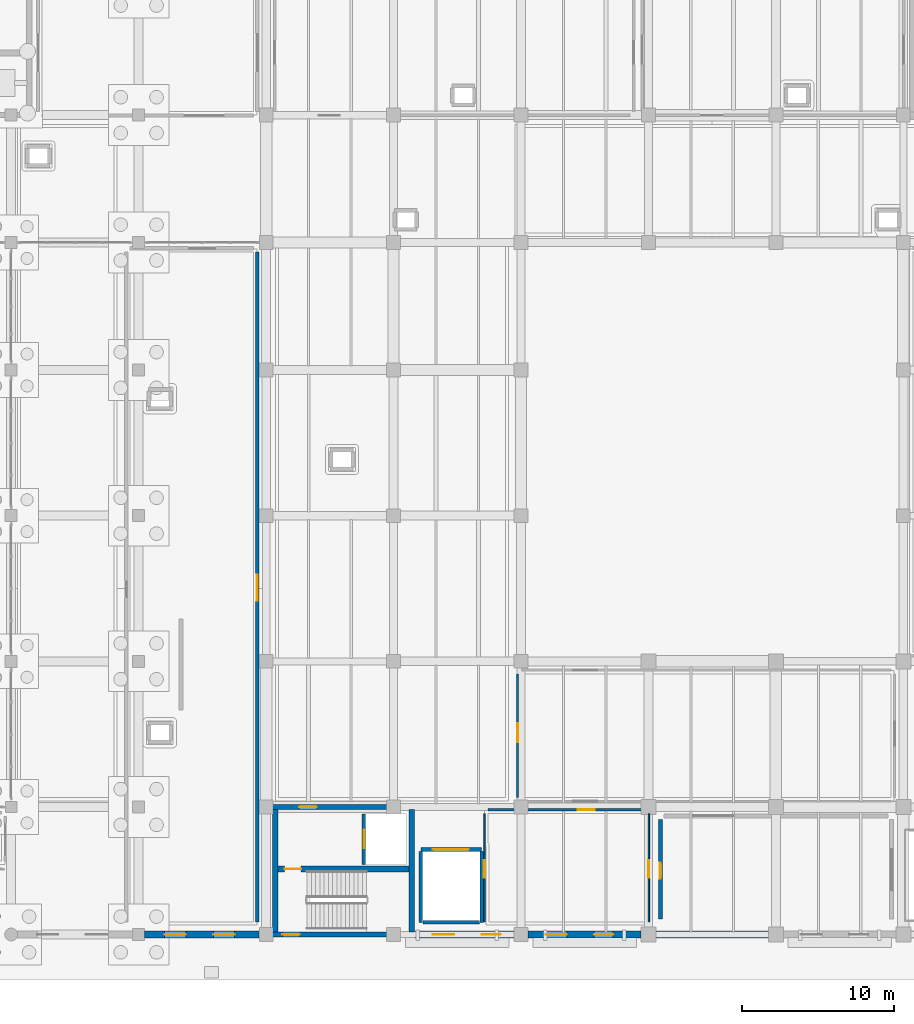
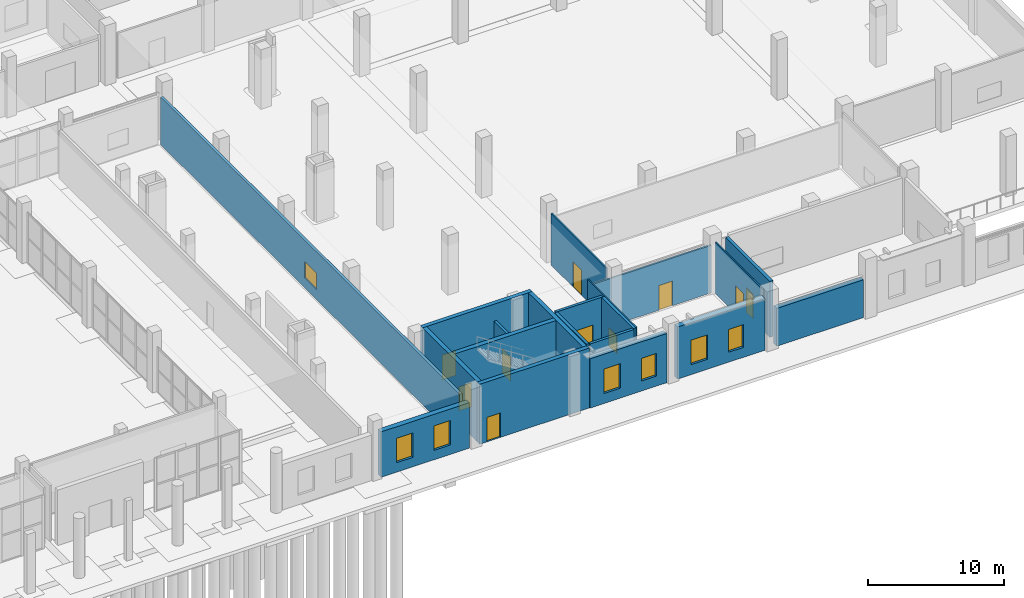
# One storey, part 46 of 65: 20 walls, 9 windows, 8 doors, 17 openings.
"""IFC4 building model written with IfcOpenShell, lengths in metres."""

from ifc_helpers import new_model, si_unit, direction, frame, frame_2d, origin, place, context, subcontext, project, spatial, rectangle, extrude, material, layer, layer_set, type_object, element, fill, save


model = new_model("IFC4")

# Units and contexts
model_context = context("Model", 3, precision=1e-05, world=origin(), true_north=direction((0.0, 1.0)))
body_context = subcontext(model_context, "Body", "Model", "MODEL_VIEW")
ifc_project = project(units=[si_unit("LENGTHUNIT", "METRE"), si_unit("AREAUNIT", "SQUARE_METRE"), si_unit("VOLUMEUNIT", "CUBIC_METRE"), si_unit("PLANEANGLEUNIT", "RADIAN"), si_unit("MASSUNIT", "GRAM", prefix="KILO")], contexts=[model_context])

# Site, building, storey
site_placement = place(None, origin())
site = spatial("IfcSite", under=ifc_project, at=site_placement, CompositionType="ELEMENT")
building_placement = place(site_placement, origin())
building = spatial("IfcBuilding", under=site, at=building_placement, Name="Zulmaris Art Gallery", CompositionType="ELEMENT")
storey_placement = place(building_placement, origin())
storey = spatial("IfcBuildingStorey", under=building, at=storey_placement, Name="L00", CompositionType="ELEMENT", Elevation=0.0)

# Wall, openings, windows
ifc_material_1 = material(Name="Omani Cream Limestone Ashlar Masonry", Category="masonry")
ifc_layer_1 = layer(ifc_material_1, 0.43994140625)
ifc_layer_set_1 = layer_set([ifc_layer_1], Name="Omani Cream Limestone Ashlar Masonry")
wall_type_1 = type_object("IfcWallType", Name="ENV-WALL-EW01", PredefinedType="SOLIDWALL", material=ifc_layer_set_1)
wall_1_placement = place(storey_placement, frame((151.412109375, 13.199951171875, 0.0), z_axis=(0.0, 0.0, 1.0), x_axis=(1.0, 0.0, 0.0)))
wall_1 = element("IfcWall", 1, at=wall_1_placement, inside=storey, type_object=wall_type_1, Name="L00 V5 South Facade Bay 1", PredefinedType="SOLIDWALL", context=body_context, shape_type="SweptSolid", body=[
    extrude(rectangle(XDim=6.535888671875, YDim=0.43994140625, at=frame_2d((3.26806640625, 0.0))), origin(), (0.0, 0.0, 1.0), 4.43994140625),
])
opening_1_placement = place(wall_1_placement, frame((1.18798828125, 0.0, 0.89990234375)))
opening_1 = element("IfcOpeningElement", 2, at=opening_1_placement, cuts=wall_1, Name="Opening W04", PredefinedType="OPENING", context=body_context, shape_type="SweptSolid", body=[
    extrude(rectangle(XDim=1.39990234375, YDim=2.199951171875, at=frame_2d((0.699951171875, 1.10009765625))), frame((0.0, 0.22998046875, 0.0), z_axis=(0.0, -1.0, 0.0), x_axis=(1.0, 0.0, 0.0)), (0.0, 0.0, 1.0), 0.4599609375),
])
opening_2_placement = place(wall_1_placement, frame((4.387939453125, 0.0, 0.89990234375)))
opening_2 = element("IfcOpeningElement", 3, at=opening_2_placement, cuts=wall_1, Name="Opening W10", PredefinedType="OPENING", context=body_context, shape_type="SweptSolid", body=[
    extrude(rectangle(XDim=1.25, YDim=2.050048828125, at=frame_2d((0.625, 1.02490234375))), frame((0.0, 0.22998046875, 0.0), z_axis=(0.0, -1.0, 0.0), x_axis=(1.0, 0.0, 0.0)), (0.0, 0.0, 1.0), 0.4599609375),
])
ifc_material_2 = material(Name="Deep-Reveal Limestone Slot Window", Category="masonry")
window_type_1 = type_object("IfcWindowType", Name="WIN-W04", PartitioningType="SINGLE_PANEL", PredefinedType="WINDOW", material=ifc_material_2)
window_1_placement = place(opening_1_placement, origin())
window_1 = element("IfcWindow", 4, at=window_1_placement, inside=storey, type_object=window_type_1, Name="L00 exterior window W04", OverallHeight=2.199951171875, OverallWidth=1.39990234375, PartitioningType="SINGLE_PANEL", PredefinedType="WINDOW", context=body_context, shape_type="SweptSolid", body=[
    extrude(rectangle(XDim=1.39990234375, YDim=2.199951171875, at=frame_2d((0.699951171875, 1.10009765625))), frame((0.0, 0.030029296875, 0.0), z_axis=(0.0, -1.0, 0.0), x_axis=(1.0, 0.0, 0.0)), (0.0, 0.0, 1.0), 0.06005859375),
])
fill(opening_1, window_1)
ifc_material_3 = material(Name="Limestone Deep-Set Lancet Window", Category="masonry")
window_type_2 = type_object("IfcWindowType", Name="WIN-W10", PartitioningType="SINGLE_PANEL", PredefinedType="WINDOW", material=ifc_material_3)
window_2_placement = place(opening_2_placement, origin())
window_2 = element("IfcWindow", 5, at=window_2_placement, inside=storey, type_object=window_type_2, Name="L00 exterior window W10", OverallHeight=2.050048828125, OverallWidth=1.25, PartitioningType="SINGLE_PANEL", PredefinedType="WINDOW", context=body_context, shape_type="SweptSolid", body=[
    extrude(rectangle(XDim=1.25, YDim=2.050048828125, at=frame_2d((0.625, 1.02490234375))), frame((0.0, 0.030029296875, 0.0), z_axis=(0.0, -1.0, 0.0), x_axis=(1.0, 0.0, 0.0)), (0.0, 0.0, 1.0), 0.06005859375),
])
fill(opening_2, window_2)

wall_2_placement = place(storey_placement, frame((158.85205078125, 13.199951171875, 0.0), z_axis=(0.0, 0.0, 1.0), x_axis=(1.0, 0.0, 0.0)))
wall_2 = element("IfcWall", 6, at=wall_2_placement, inside=storey, type_object=wall_type_1, Name="L00 V5 South Facade Bay 2", PredefinedType="SOLIDWALL", context=body_context, shape_type="SweptSolid", body=[
    extrude(rectangle(XDim=7.446044921875, YDim=0.43994140625, at=frame_2d((3.72314453125, 0.0))), origin(), (0.0, 0.0, 1.0), 4.68994140625),
])
opening_3_placement = place(wall_2_placement, frame((1.16796875, 0.0, 0.89990234375)))
opening_3 = element("IfcOpeningElement", 7, at=opening_3_placement, cuts=wall_2, Name="Opening W04", PredefinedType="OPENING", context=body_context, shape_type="SweptSolid", body=[
    extrude(rectangle(XDim=1.39990234375, YDim=2.199951171875, at=frame_2d((0.699951171875, 1.10009765625))), frame((0.0, 0.22998046875, 0.0), z_axis=(0.0, -1.0, 0.0), x_axis=(1.0, 0.0, 0.0)), (0.0, 0.0, 1.0), 0.4599609375),
])
opening_4_placement = place(wall_2_placement, frame((4.367919921875, 0.0, 0.89990234375)))
opening_4 = element("IfcOpeningElement", 8, at=opening_4_placement, cuts=wall_2, Name="Opening W10", PredefinedType="OPENING", context=body_context, shape_type="SweptSolid", body=[
    extrude(rectangle(XDim=1.25, YDim=2.050048828125, at=frame_2d((0.625, 1.02490234375))), frame((0.0, 0.22998046875, 0.0), z_axis=(0.0, -1.0, 0.0), x_axis=(1.0, 0.0, 0.0)), (0.0, 0.0, 1.0), 0.4599609375),
])
window_3_placement = place(opening_3_placement, origin())
window_3 = element("IfcWindow", 9, at=window_3_placement, inside=storey, type_object=window_type_1, Name="L00 exterior window W04", OverallHeight=2.199951171875, OverallWidth=1.39990234375, PartitioningType="SINGLE_PANEL", PredefinedType="WINDOW", context=body_context, shape_type="SweptSolid", body=[
    extrude(rectangle(XDim=1.39990234375, YDim=2.199951171875, at=frame_2d((0.699951171875, 1.10009765625))), frame((0.0, 0.030029296875, 0.0), z_axis=(0.0, -1.0, 0.0), x_axis=(1.0, 0.0, 0.0)), (0.0, 0.0, 1.0), 0.06005859375),
])
fill(opening_3, window_3)
window_4_placement = place(opening_4_placement, origin())
window_4 = element("IfcWindow", 10, at=window_4_placement, inside=storey, type_object=window_type_2, Name="L00 exterior window W10", OverallHeight=2.050048828125, OverallWidth=1.25, PartitioningType="SINGLE_PANEL", PredefinedType="WINDOW", context=body_context, shape_type="SweptSolid", body=[
    extrude(rectangle(XDim=1.25, YDim=2.050048828125, at=frame_2d((0.625, 1.02490234375))), frame((0.0, 0.030029296875, 0.0), z_axis=(0.0, -1.0, 0.0), x_axis=(1.0, 0.0, 0.0)), (0.0, 0.0, 1.0), 0.06005859375),
])
fill(opening_4, window_4)

# Wall
wall_3_placement = place(storey_placement, frame((167.302001953125, 13.199951171875, 0.0), z_axis=(0.0, 0.0, 1.0), x_axis=(1.0, 0.0, 0.0)))
element("IfcWall", 11, at=wall_3_placement, inside=storey, type_object=wall_type_1, Name="L00 V5 Loading Dock Portal", PredefinedType="SOLIDWALL", context=body_context, shape_type="SweptSolid", body=[
    extrude(rectangle(XDim=7.39599609375, YDim=0.43994140625, at=frame_2d((3.697998046875, 0.0))), origin(), (0.0, 0.0, 1.0), 3.405029296875),
])

# Wall, openings, windows
wall_4_placement = place(storey_placement, frame((133.60205078125, 13.199951171875, 0.0), z_axis=(0.0, 0.0, 1.0), x_axis=(1.0, 0.0, 0.0)))
wall_4 = element("IfcWall", 12, at=wall_4_placement, inside=storey, type_object=wall_type_1, Name="L00 V4 South Street Facade", PredefinedType="SOLIDWALL", context=body_context, shape_type="SweptSolid", body=[
    extrude(rectangle(XDim=7.5458984375, YDim=0.43994140625, at=frame_2d((3.77294921875, 0.0))), origin(), (0.0, 0.0, 1.0), 4.090087890625),
])
opening_5_placement = place(wall_4_placement, frame((1.318115234375, 0.0, 0.85009765625)))
opening_5 = element("IfcOpeningElement", 13, at=opening_5_placement, cuts=wall_4, Name="Opening W04", PredefinedType="OPENING", context=body_context, shape_type="SweptSolid", body=[
    extrude(rectangle(XDim=1.39990234375, YDim=2.199951171875, at=frame_2d((0.699951171875, 1.10009765625))), frame((0.0, 0.22998046875, 0.0), z_axis=(0.0, -1.0, 0.0), x_axis=(1.0, 0.0, 0.0)), (0.0, 0.0, 1.0), 0.4599609375),
])
opening_6_placement = place(wall_4_placement, frame((4.51806640625, 0.0, 0.85009765625)))
opening_6 = element("IfcOpeningElement", 14, at=opening_6_placement, cuts=wall_4, Name="Opening W04", PredefinedType="OPENING", context=body_context, shape_type="SweptSolid", body=[
    extrude(rectangle(XDim=1.39990234375, YDim=2.199951171875, at=frame_2d((0.699951171875, 1.10009765625))), frame((0.0, 0.22998046875, 0.0), z_axis=(0.0, -1.0, 0.0), x_axis=(1.0, 0.0, 0.0)), (0.0, 0.0, 1.0), 0.4599609375),
])
window_5_placement = place(opening_5_placement, origin())
window_5 = element("IfcWindow", 15, at=window_5_placement, inside=storey, type_object=window_type_1, Name="L00 exterior window W04", OverallHeight=2.199951171875, OverallWidth=1.39990234375, PartitioningType="SINGLE_PANEL", PredefinedType="WINDOW", context=body_context, shape_type="SweptSolid", body=[
    extrude(rectangle(XDim=1.39990234375, YDim=2.199951171875, at=frame_2d((0.699951171875, 1.10009765625))), frame((0.0, 0.030029296875, 0.0), z_axis=(0.0, -1.0, 0.0), x_axis=(1.0, 0.0, 0.0)), (0.0, 0.0, 1.0), 0.06005859375),
])
fill(opening_5, window_5)
window_6_placement = place(opening_6_placement, origin())
window_6 = element("IfcWindow", 16, at=window_6_placement, inside=storey, type_object=window_type_1, Name="L00 exterior window W04", OverallHeight=2.199951171875, OverallWidth=1.39990234375, PartitioningType="SINGLE_PANEL", PredefinedType="WINDOW", context=body_context, shape_type="SweptSolid", body=[
    extrude(rectangle(XDim=1.39990234375, YDim=2.199951171875, at=frame_2d((0.699951171875, 1.10009765625))), frame((0.0, 0.030029296875, 0.0), z_axis=(0.0, -1.0, 0.0), x_axis=(1.0, 0.0, 0.0)), (0.0, 0.0, 1.0), 0.06005859375),
])
fill(opening_6, window_6)

# Wall, opening, window
ifc_material_4 = material(Name="Acoustic Office Gypsum Partition", Category="gypsum")
ifc_layer_2 = layer(ifc_material_4, 0.10009765625)
ifc_layer_set_2 = layer_set([ifc_layer_2], Name="Acoustic Office Gypsum Partition")
wall_type_2 = type_object("IfcWallType", Name="IWALL-PW01", PredefinedType="PARTITIONING", material=ifc_layer_set_2)
wall_5_placement = place(storey_placement, frame((155.97998046875, 14.030029296875, 0.0), z_axis=(0.0, 0.0, 1.0), x_axis=(0.0, 1.0, 0.0)))
wall_5 = element("IfcWall", 17, at=wall_5_placement, inside=storey, type_object=wall_type_2, Name="Crate Acclimatisation & Isolation Room W partition", PredefinedType="PARTITIONING", context=body_context, shape_type="SweptSolid", body=[
    extrude(rectangle(XDim=7.139892578125, YDim=0.10009765625, at=frame_2d((3.56982421875, 0.0))), origin(), (0.0, 0.0, 1.0), 5.0400390625),
])
opening_7_placement = place(wall_5_placement, frame((2.89990234375, 0.0, 0.89990234375)))
opening_7 = element("IfcOpeningElement", 18, at=opening_7_placement, cuts=wall_5, Name="Opening IW08", PredefinedType="OPENING", context=body_context, shape_type="SweptSolid", body=[
    extrude(rectangle(XDim=1.159912109375, YDim=1.6201171875, at=frame_2d((0.580078125, 0.81005859375))), frame((0.0, 0.06005859375, 0.0), z_axis=(0.0, -1.0, 0.0), x_axis=(1.0, 0.0, 0.0)), (0.0, 0.0, 1.0), 0.1201171875),
])
ifc_material_5 = material(Name="Foyer Cloakroom Counter Glazing", Category="glass")
window_type_3 = type_object("IfcWindowType", Name="IWIN-IW08", PartitioningType="SINGLE_PANEL", PredefinedType="WINDOW", material=ifc_material_5)
window_7_placement = place(opening_7_placement, origin())
window_7 = element("IfcWindow", 19, at=window_7_placement, inside=storey, type_object=window_type_3, Name="L00 interior observation window IW08", OverallHeight=1.6201171875, OverallWidth=1.159912109375, PartitioningType="SINGLE_PANEL", PredefinedType="WINDOW", context=body_context, shape_type="SweptSolid", body=[
    extrude(rectangle(XDim=1.159912109375, YDim=1.6201171875, at=frame_2d((0.580078125, 0.81005859375))), frame((0.0, 0.030029296875, 0.0), z_axis=(0.0, -1.0, 0.0), x_axis=(1.0, 0.0, 0.0)), (0.0, 0.0, 1.0), 0.06005859375),
])
fill(opening_7, window_7)

wall_6_placement = place(storey_placement, frame((166.820068359375, 14.030029296875, 0.0), z_axis=(0.0, 0.0, 1.0), x_axis=(0.0, 1.0, 0.0)))
wall_6 = element("IfcWall", 20, at=wall_6_placement, inside=storey, type_object=wall_type_2, Name="Crate Acclimatisation & Isolation Room E partition", PredefinedType="PARTITIONING", context=body_context, shape_type="SweptSolid", body=[
    extrude(rectangle(XDim=7.139892578125, YDim=0.10009765625, at=frame_2d((3.56982421875, 0.0))), origin(), (0.0, 0.0, 1.0), 4.64990234375),
])
opening_8_placement = place(wall_6_placement, frame((2.89990234375, 0.0, 0.89990234375)))
opening_8 = element("IfcOpeningElement", 21, at=opening_8_placement, cuts=wall_6, Name="Opening IW08", PredefinedType="OPENING", context=body_context, shape_type="SweptSolid", body=[
    extrude(rectangle(XDim=1.159912109375, YDim=1.6201171875, at=frame_2d((0.580078125, 0.81005859375))), frame((0.0, 0.06005859375, 0.0), z_axis=(0.0, -1.0, 0.0), x_axis=(1.0, 0.0, 0.0)), (0.0, 0.0, 1.0), 0.1201171875),
])
window_8_placement = place(opening_8_placement, origin())
window_8 = element("IfcWindow", 22, at=window_8_placement, inside=storey, type_object=window_type_3, Name="L00 interior observation window IW08", OverallHeight=1.6201171875, OverallWidth=1.159912109375, PartitioningType="SINGLE_PANEL", PredefinedType="WINDOW", context=body_context, shape_type="SweptSolid", body=[
    extrude(rectangle(XDim=1.159912109375, YDim=1.6201171875, at=frame_2d((0.580078125, 0.81005859375))), frame((0.0, 0.030029296875, 0.0), z_axis=(0.0, -1.0, 0.0), x_axis=(1.0, 0.0, 0.0)), (0.0, 0.0, 1.0), 0.06005859375),
])
fill(opening_8, window_8)

# Wall, opening, door
ifc_material_6 = material(Name="Light Gallery Backing Partition", Category="gypsum")
ifc_layer_3 = layer(ifc_material_6, 0.1298828125)
ifc_layer_set_3 = layer_set([ifc_layer_3], Name="Light Gallery Backing Partition")
wall_type_3 = type_object("IfcWallType", Name="IWALL-PW03", PredefinedType="PARTITIONING", material=ifc_layer_set_3)
wall_7_placement = place(storey_placement, frame((158.179931640625, 22.22998046875, 0.0), z_axis=(0.0, 0.0, 1.0), x_axis=(0.0, 1.0, 0.0)))
wall_7 = element("IfcWall", 23, at=wall_7_placement, inside=storey, type_object=wall_type_3, Name="Registrar Unpacking & Inspection Hall W partition", PredefinedType="PARTITIONING", context=body_context, shape_type="SweptSolid", body=[
    extrude(rectangle(XDim=8.14013671875, YDim=0.1298828125, at=frame_2d((4.070068359375, 0.0))), origin(), (0.0, 0.0, 1.0), 4.64990234375),
])
opening_9_placement = place(wall_7_placement, frame((3.64990234375, 0.0, 0.0)))
opening_9 = element("IfcOpeningElement", 24, at=opening_9_placement, cuts=wall_7, Name="Opening D09", PredefinedType="OPENING", context=body_context, shape_type="SweptSolid", body=[
    extrude(rectangle(XDim=1.239990234375, YDim=2.280029296875, at=frame_2d((0.6201171875, 1.14013671875))), frame((0.0, 0.074951171875, 0.0), z_axis=(0.0, -1.0, 0.0), x_axis=(1.0, 0.0, 0.0)), (0.0, 0.0, 1.0), 0.14990234375),
])
ifc_material_7 = material(Name="Conservation Studio Sealed Door", Category="steel")
door_type_1 = type_object("IfcDoorType", Name="IDOOR-D09", OperationType="NOTDEFINED", PredefinedType="DOOR", material=ifc_material_7)
door_1_placement = place(opening_9_placement, origin())
door_1 = element("IfcDoor", 25, at=door_1_placement, inside=storey, type_object=door_type_1, Name="Registrar Unpacking & Inspection Hall Door", OperationType="SINGLE_SWING_RIGHT", OverallHeight=2.280029296875, OverallWidth=1.239990234375, PredefinedType="DOOR", context=body_context, shape_type="SweptSolid", body=[
    extrude(rectangle(XDim=1.239990234375, YDim=2.280029296875, at=frame_2d((0.6201171875, 1.14013671875))), frame((0.0, 0.02490234375, 0.0), z_axis=(0.0, -1.0, 0.0), x_axis=(1.0, 0.0, 0.0)), (0.0, 0.0, 1.0), 0.050048828125),
])
fill(opening_9, door_1)

ifc_material_8 = material(Name="Plywood-Backed Gallery Hanging Partition", Category="wood")
ifc_layer_4 = layer(ifc_material_8, 0.14501953125)
ifc_layer_set_4 = layer_set([ifc_layer_4], Name="Plywood-Backed Gallery Hanging Partition")
wall_type_4 = type_object("IfcWallType", Name="IWALL-PW04", PredefinedType="PARTITIONING", material=ifc_layer_set_4)
wall_8_placement = place(storey_placement, frame((156.22998046875, 21.419921875, 0.0), z_axis=(0.0, 0.0, 1.0), x_axis=(1.0, 0.0, 0.0)))
wall_8 = element("IfcWall", 26, at=wall_8_placement, inside=storey, type_object=wall_type_4, Name="Crate Acclimatisation & Isolation Room N partition", PredefinedType="PARTITIONING", context=body_context, shape_type="SweptSolid", body=[
    extrude(rectangle(XDim=10.340087890625, YDim=0.14501953125, at=frame_2d((5.169921875, 0.0))), origin(), (0.0, 0.0, 1.0), 4.2900390625),
])
opening_10_placement = place(wall_8_placement, frame((5.89990234375, 0.0, 0.0)))
opening_10 = element("IfcOpeningElement", 27, at=opening_10_placement, cuts=wall_8, Name="Opening D06", PredefinedType="OPENING", context=body_context, shape_type="SweptSolid", body=[
    extrude(rectangle(XDim=1.1201171875, YDim=2.219970703125, at=frame_2d((0.56005859375, 1.10986328125))), frame((0.0, 0.08251953125, 0.0), z_axis=(0.0, -1.0, 0.0), x_axis=(1.0, 0.0, 0.0)), (0.0, 0.0, 1.0), 0.1650390625),
])
ifc_material_9 = material(Name="Seminar & Library Single Door", Category="timber")
door_type_2 = type_object("IfcDoorType", Name="IDOOR-D06", OperationType="NOTDEFINED", PredefinedType="DOOR", material=ifc_material_9)
door_2_placement = place(opening_10_placement, origin())
door_2 = element("IfcDoor", 28, at=door_2_placement, inside=storey, type_object=door_type_2, Name="Crate Acclimatisation & Isolation Room Door", OperationType="SINGLE_SWING_LEFT", OverallHeight=2.219970703125, OverallWidth=1.1201171875, PredefinedType="DOOR", context=body_context, shape_type="SweptSolid", body=[
    extrude(rectangle(XDim=1.1201171875, YDim=2.219970703125, at=frame_2d((0.56005859375, 1.10986328125))), frame((0.0, 0.02490234375, 0.0), z_axis=(0.0, -1.0, 0.0), x_axis=(1.0, 0.0, 0.0)), (0.0, 0.0, 1.0), 0.050048828125),
])
fill(opening_10, door_2)

# Wall, opening, window
ifc_material_10 = material(Name="Hygrometric Art Store Buffer Wall", Category="masonry")
ifc_layer_5 = layer(ifc_material_10, 0.219970703125)
ifc_layer_set_5 = layer_set([ifc_layer_5], Name="Hygrometric Art Store Buffer Wall")
wall_type_5 = type_object("IfcWallType", Name="IWALL-PW09", PredefinedType="PARTITIONING", material=ifc_layer_set_5)
wall_9_placement = place(storey_placement, frame((141.02001953125, 14.030029296875, 0.0), z_axis=(0.0, 0.0, 1.0), x_axis=(0.0, 1.0, 0.0)))
wall_9 = element("IfcWall", 29, at=wall_9_placement, inside=storey, type_object=wall_type_5, Name="Temporary Exhibition Gallery East E partition", PredefinedType="PARTITIONING", context=body_context, shape_type="SweptSolid", body=[
    extrude(rectangle(XDim=44.139892578125, YDim=0.219970703125, at=frame_2d((22.06982421875, 0.0))), origin(), (0.0, 0.0, 1.0), 4.2900390625),
])
opening_11_placement = place(wall_9_placement, frame((21.14990234375, 0.0, 0.89990234375)))
opening_11 = element("IfcOpeningElement", 30, at=opening_11_placement, cuts=wall_9, Name="Opening IW06", PredefinedType="OPENING", context=body_context, shape_type="SweptSolid", body=[
    extrude(rectangle(XDim=1.719970703125, YDim=1.4599609375, at=frame_2d((0.85986328125, 0.72998046875))), frame((0.0, 0.119873046875, 0.0), z_axis=(0.0, -1.0, 0.0), x_axis=(1.0, 0.0, 0.0)), (0.0, 0.0, 1.0), 0.239990234375),
])
ifc_material_11 = material(Name="Library Reading Room Internal Glazing", Category="glass")
window_type_4 = type_object("IfcWindowType", Name="IWIN-IW06", PartitioningType="SINGLE_PANEL", PredefinedType="WINDOW", material=ifc_material_11)
window_9_placement = place(opening_11_placement, origin())
window_9 = element("IfcWindow", 31, at=window_9_placement, inside=storey, type_object=window_type_4, Name="L00 interior observation window IW06", OverallHeight=1.4599609375, OverallWidth=1.719970703125, PartitioningType="SINGLE_PANEL", PredefinedType="WINDOW", context=body_context, shape_type="SweptSolid", body=[
    extrude(rectangle(XDim=1.719970703125, YDim=1.4599609375, at=frame_2d((0.85986328125, 0.72998046875))), frame((0.0, 0.030029296875, 0.0), z_axis=(0.0, -1.0, 0.0), x_axis=(1.0, 0.0, 0.0)), (0.0, 0.0, 1.0), 0.06005859375),
])
fill(opening_11, window_9)

# Wall, opening, door
ifc_material_12 = material(Name="Core Lobby Fire-Resisting Masonry Wall", Category="masonry")
ifc_layer_6 = layer(ifc_material_12, 0.235107421875)
ifc_layer_set_6 = layer_set([ifc_layer_6], Name="Core Lobby Fire-Resisting Masonry Wall")
wall_type_6 = type_object("IfcWallType", Name="IWALL-PW10", PredefinedType="PARTITIONING", material=ifc_layer_set_6)
wall_10_placement = place(storey_placement, frame((148.050048828125, 17.820068359375, 0.0), z_axis=(0.0, 0.0, 1.0), x_axis=(0.0, 1.0, 0.0)))
wall_10 = element("IfcWall", 32, at=wall_10_placement, inside=storey, type_object=wall_type_6, Name="LF-F2 L00 lift shaft front wall", PredefinedType="PARTITIONING", context=body_context, shape_type="SweptSolid", body=[
    extrude(rectangle(XDim=3.329833984375, YDim=0.235107421875, at=frame_2d((1.6650390625, 0.0))), origin(), (0.0, 0.0, 1.0), 4.090087890625),
])
opening_12_placement = place(wall_10_placement, frame((1.054931640625, 0.0, 0.0)))
opening_12 = element("IfcOpeningElement", 33, at=opening_12_placement, cuts=wall_10, Name="Opening LD02", PredefinedType="OPENING", context=body_context, shape_type="SweptSolid", body=[
    extrude(rectangle(XDim=1.219970703125, YDim=2.239990234375, at=frame_2d((0.60986328125, 1.1201171875))), frame((0.0, 0.12744140625, 0.0), z_axis=(0.0, -1.0, 0.0), x_axis=(1.0, 0.0, 0.0)), (0.0, 0.0, 1.0), 0.255126953125),
])
ifc_material_13 = material(Name="Firefighting Lift Sliding Landing Door", Category="steel")
door_type_3 = type_object("IfcDoorType", Name="IDOOR-LD02", OperationType="SLIDING_TO_RIGHT", PredefinedType="DOOR", material=ifc_material_13)
door_3_placement = place(opening_12_placement, origin())
door_3 = element("IfcDoor", 34, at=door_3_placement, inside=storey, type_object=door_type_3, Name="LF-F2 L00 Lift Landing Sliding Door", OperationType="SLIDING_TO_RIGHT", OverallHeight=2.239990234375, OverallWidth=1.219970703125, PredefinedType="DOOR", context=body_context, shape_type="SweptSolid", body=[
    extrude(rectangle(XDim=1.219970703125, YDim=2.239990234375, at=frame_2d((0.60986328125, 1.1201171875))), frame((0.0, 0.02490234375, 0.0), z_axis=(0.0, -1.0, 0.0), x_axis=(1.0, 0.0, 0.0)), (0.0, 0.0, 1.0), 0.050048828125),
])
fill(opening_12, door_3)

wall_11_placement = place(storey_placement, frame((151.800048828125, 18.800048828125, 0.0), z_axis=(0.0, 0.0, 1.0), x_axis=(1.0, 0.0, 0.0)))
wall_11 = element("IfcWall", 35, at=wall_11_placement, inside=storey, type_object=wall_type_6, Name="Goods Lift L00 north shaft wall", PredefinedType="PARTITIONING", context=body_context, shape_type="SweptSolid", body=[
    extrude(rectangle(XDim=4.0, YDim=0.235107421875, at=frame_2d((2.0, 0.0))), origin(), (0.0, 0.0, 1.0), 5.0400390625),
])
opening_13_placement = place(wall_11_placement, frame((0.800048828125, 0.0, 0.0)))
opening_13 = element("IfcOpeningElement", 36, at=opening_13_placement, cuts=wall_11, Name="Opening LD03", PredefinedType="OPENING", context=body_context, shape_type="SweptSolid", body=[
    extrude(rectangle(XDim=2.360107421875, YDim=2.780029296875, at=frame_2d((1.18017578125, 1.39013671875))), frame((0.0, 0.12744140625, 0.0), z_axis=(0.0, -1.0, 0.0), x_axis=(1.0, 0.0, 0.0)), (0.0, 0.0, 1.0), 0.255126953125),
])
ifc_material_14 = material(Name="Goods Lift Oversize Sliding Landing Door", Category="steel")
door_type_4 = type_object("IfcDoorType", Name="IDOOR-LD03", OperationType="SLIDING_TO_LEFT", PredefinedType="DOOR", material=ifc_material_14)
door_4_placement = place(opening_13_placement, origin())
door_4 = element("IfcDoor", 37, at=door_4_placement, inside=storey, type_object=door_type_4, Name="Goods Lift LF-G1 L00 Sliding Landing Door", OperationType="SLIDING_TO_LEFT", OverallHeight=2.780029296875, OverallWidth=2.360107421875, PredefinedType="DOOR", context=body_context, shape_type="SweptSolid", body=[
    extrude(rectangle(XDim=2.360107421875, YDim=2.780029296875, at=frame_2d((1.18017578125, 1.39013671875))), frame((0.0, 0.02490234375, 0.0), z_axis=(0.0, -1.0, 0.0), x_axis=(1.0, 0.0, 0.0)), (0.0, 0.0, 1.0), 0.050048828125),
])
fill(opening_13, door_4)

# Walls
for number, where, z_axis, x_axis, name in (
    (38, (151.800048828125, 14.0, 0.0), (0.0, 0.0, 1.0), (0.0, 1.0, 0.0), "Goods Lift L00 west shaft wall"),
    (39, (155.800048828125, 14.0, 0.0), (0.0, 0.0, 1.0), (0.0, 1.0, 0.0), "Goods Lift L00 east shaft wall"),
):
    element("IfcWall", number, at=place(storey_placement, frame(where, z_axis=z_axis, x_axis=x_axis)), inside=storey, type_object=wall_type_6, Name=name, PredefinedType="PARTITIONING", context=body_context, shape_type="SweptSolid", body=[
        extrude(rectangle(XDim=4.659912109375, YDim=0.235107421875, at=frame_2d((2.330078125, 0.0))), origin(), (0.0, 0.0, 1.0), 5.0400390625),
    ])
wall_12_placement = place(storey_placement, frame((151.93994140625, 14.0, 0.0), z_axis=(0.0, 0.0, 1.0), x_axis=(1.0, 0.0, 0.0)))
element("IfcWall", 40, at=wall_12_placement, inside=storey, type_object=wall_type_6, Name="Goods Lift L00 south shaft wall", PredefinedType="PARTITIONING", context=body_context, shape_type="SweptSolid", body=[
    extrude(rectangle(XDim=3.719970703125, YDim=0.235107421875, at=frame_2d((1.85986328125, 0.0))), origin(), (0.0, 0.0, 1.0), 5.0400390625),
])

# Wall, opening, door
ifc_material_15 = material(Name="Plant & Substation Acoustic Blockwork Wall", Category="masonry")
ifc_layer_7 = layer(ifc_material_15, 0.27001953125)
ifc_layer_set_7 = layer_set([ifc_layer_7], Name="Plant & Substation Acoustic Blockwork Wall")
wall_type_7 = type_object("IfcWallType", Name="IWALL-PW12", PredefinedType="PARTITIONING", material=ifc_layer_set_7)
wall_13_placement = place(storey_placement, frame((167.580078125, 14.22998046875, 0.0), z_axis=(0.0, 0.0, 1.0), x_axis=(0.0, 1.0, 0.0)))
wall_13 = element("IfcWall", 41, at=wall_13_placement, inside=storey, type_object=wall_type_7, Name="Art Truck Loading Dock W partition", PredefinedType="PARTITIONING", context=body_context, shape_type="SweptSolid", body=[
    extrude(rectangle(XDim=6.5400390625, YDim=0.27001953125, at=frame_2d((3.27001953125, 0.0))), origin(), (0.0, 0.0, 1.0), 5.0400390625),
])
opening_14_placement = place(wall_13_placement, frame((2.64990234375, 0.0, 0.0)))
opening_14 = element("IfcOpeningElement", 42, at=opening_14_placement, cuts=wall_13, Name="Opening D05", PredefinedType="OPENING", context=body_context, shape_type="SweptSolid", body=[
    extrude(rectangle(XDim=1.06005859375, YDim=2.199951171875, at=frame_2d((0.530029296875, 1.10009765625))), frame((0.0, 0.14501953125, 0.0), z_axis=(0.0, -1.0, 0.0), x_axis=(1.0, 0.0, 0.0)), (0.0, 0.0, 1.0), 0.2900390625),
])
ifc_material_16 = material(Name="Resident Artists Studio Door", Category="timber")
door_type_5 = type_object("IfcDoorType", Name="IDOOR-D05", OperationType="NOTDEFINED", PredefinedType="DOOR", material=ifc_material_16)
door_5_placement = place(opening_14_placement, origin())
door_5 = element("IfcDoor", 43, at=door_5_placement, inside=storey, type_object=door_type_5, Name="Art Truck Loading Dock Door", OperationType="SINGLE_SWING_RIGHT", OverallHeight=2.199951171875, OverallWidth=1.06005859375, PredefinedType="DOOR", context=body_context, shape_type="SweptSolid", body=[
    extrude(rectangle(XDim=1.06005859375, YDim=2.199951171875, at=frame_2d((0.530029296875, 1.10009765625))), frame((0.0, 0.02490234375, 0.0), z_axis=(0.0, -1.0, 0.0), x_axis=(1.0, 0.0, 0.0)), (0.0, 0.0, 1.0), 0.050048828125),
])
fill(opening_14, door_5)

ifc_material_17 = material(Name="Concrete C50/60", Category="concrete")
ifc_layer_8 = layer(ifc_material_17, 0.35009765625)
ifc_layer_set_8 = layer_set([ifc_layer_8], Name="Concrete C50/60")
wall_type_8 = type_object("IfcWallType", Name="STR-WALL-SW01", PredefinedType="SHEAR", material=ifc_layer_set_8)
wall_14_placement = place(storey_placement, frame((151.375, 13.199951171875, 0.0), z_axis=(0.0, 0.0, 1.0), x_axis=(-1.0, 0.0, 0.0)))
wall_14 = element("IfcWall", 44, at=wall_14_placement, inside=storey, type_object=wall_type_8, Name="Core C3 L00 S shear wall", PredefinedType="SHEAR", context=body_context, shape_type="SweptSolid", body=[
    extrude(rectangle(XDim=9.35009765625, YDim=0.35009765625, at=frame_2d((4.675048828125, 0.0))), origin(), (0.0, 0.0, 1.0), 5.39990234375),
])
opening_15_placement = place(wall_14_placement, frame((7.550048828125, 0.0, 0.0)))
opening_15 = element("IfcOpeningElement", 45, at=opening_15_placement, cuts=wall_14, Name="Opening ED02", PredefinedType="OPENING", context=body_context, shape_type="SweptSolid", body=[
    extrude(rectangle(XDim=1.14990234375, YDim=2.199951171875, at=frame_2d((0.574951171875, 1.10009765625))), frame((0.0, 0.18505859375, 0.0), z_axis=(0.0, -1.0, 0.0), x_axis=(1.0, 0.0, 0.0)), (0.0, 0.0, 1.0), 0.3701171875),
])
ifc_material_18 = material(Name="Fire Exit Discharge Door", Category="steel")
door_type_6 = type_object("IfcDoorType", Name="EDOOR-ED02", OperationType="SINGLE_SWING_LEFT", PredefinedType="DOOR", material=ifc_material_18)
door_6_placement = place(opening_15_placement, origin())
door_6 = element("IfcDoor", 46, at=door_6_placement, inside=storey, type_object=door_type_6, Name="Core C3 ST3 Ground Exit Discharge Door", OperationType="SINGLE_SWING_RIGHT", OverallHeight=2.199951171875, OverallWidth=1.14990234375, PredefinedType="DOOR", context=body_context, shape_type="SweptSolid", body=[
    extrude(rectangle(XDim=1.14990234375, YDim=2.199951171875, at=frame_2d((0.574951171875, 1.10009765625))), frame((0.0, 0.02490234375, 0.0), z_axis=(0.0, -1.0, 0.0), x_axis=(1.0, 0.0, 0.0)), (0.0, 0.0, 1.0), 0.050048828125),
])
fill(opening_15, door_6)

wall_15_placement = place(storey_placement, frame((142.02490234375, 21.60009765625, 0.0), z_axis=(0.0, 0.0, 1.0), x_axis=(1.0, 0.0, 0.0)))
wall_15 = element("IfcWall", 47, at=wall_15_placement, inside=storey, type_object=wall_type_8, Name="Core C3 L00 N shear wall", PredefinedType="SHEAR", context=body_context, shape_type="SweptSolid", body=[
    extrude(rectangle(XDim=9.35009765625, YDim=0.35009765625, at=frame_2d((4.675048828125, 0.0))), origin(), (0.0, 0.0, 1.0), 5.39990234375),
])
opening_16_placement = place(wall_15_placement, frame((1.75, 0.0, 0.0)))
opening_16 = element("IfcOpeningElement", 48, at=opening_16_placement, cuts=wall_15, Name="Opening D08", PredefinedType="OPENING", context=body_context, shape_type="SweptSolid", body=[
    extrude(rectangle(XDim=1.179931640625, YDim=2.239990234375, at=frame_2d((0.58984375, 1.1201171875))), frame((0.0, 0.18505859375, 0.0), z_axis=(0.0, -1.0, 0.0), x_axis=(1.0, 0.0, 0.0)), (0.0, 0.0, 1.0), 0.3701171875),
])
ifc_material_19 = material(Name="Firefighting Lobby Compartment Door", Category="steel")
door_type_7 = type_object("IfcDoorType", Name="IDOOR-D08", OperationType="NOTDEFINED", PredefinedType="DOOR", material=ifc_material_19)
door_7_placement = place(opening_16_placement, origin())
door_7 = element("IfcDoor", 49, at=door_7_placement, inside=storey, type_object=door_type_7, Name="Core C3 L00 Lobby Compartment Door", OperationType="SINGLE_SWING_RIGHT", OverallHeight=2.239990234375, OverallWidth=1.179931640625, PredefinedType="DOOR", context=body_context, shape_type="SweptSolid", body=[
    extrude(rectangle(XDim=1.179931640625, YDim=2.239990234375, at=frame_2d((0.58984375, 1.1201171875))), frame((0.0, 0.02490234375, 0.0), z_axis=(0.0, -1.0, 0.0), x_axis=(1.0, 0.0, 0.0)), (0.0, 0.0, 1.0), 0.050048828125),
])
fill(opening_16, door_7)

# Walls
for number, where, z_axis, x_axis, name in (
    (50, (142.199951171875, 13.375, 0.0), (0.0, 0.0, 1.0), (0.0, 1.0, 0.0), "Core C3 L00 W shear wall"),
    (51, (151.199951171875, 13.375, 0.0), (0.0, 0.0, 1.0), (0.0, 1.0, 0.0), "Core C3 L00 E shear wall"),
):
    element("IfcWall", number, at=place(storey_placement, frame(where, z_axis=z_axis, x_axis=x_axis)), inside=storey, type_object=wall_type_8, Name=name, PredefinedType="SHEAR", context=body_context, shape_type="SweptSolid", body=[
        extrude(rectangle(XDim=8.050048828125, YDim=0.35009765625, at=frame_2d((4.02490234375, 0.0))), origin(), (0.0, 0.0, 1.0), 5.39990234375),
    ])

# Wall, opening, door
ifc_layer_9 = layer(ifc_material_17, 0.3798828125)
ifc_layer_set_9 = layer_set([ifc_layer_9], Name="Concrete C50/60")
wall_type_9 = type_object("IfcWallType", Name="STR-WALL-SW02", PredefinedType="SHEAR", material=ifc_layer_set_9)
wall_16_placement = place(storey_placement, frame((142.375, 17.510009765625, 0.0), z_axis=(0.0, 0.0, 1.0), x_axis=(1.0, 0.0, 0.0)))
wall_16 = element("IfcWall", 52, at=wall_16_placement, inside=storey, type_object=wall_type_9, Name="Core C3 L00 DIV shear wall", PredefinedType="SHEAR", context=body_context, shape_type="SweptSolid", body=[
    extrude(rectangle(XDim=8.64990234375, YDim=0.3798828125, at=frame_2d((4.324951171875, 0.0))), origin(), (0.0, 0.0, 1.0), 5.39990234375),
])
opening_17_placement = place(wall_16_placement, frame((0.449951171875, 0.0, 0.0)))
opening_17 = element("IfcOpeningElement", 53, at=opening_17_placement, cuts=wall_16, Name="Opening D07", PredefinedType="OPENING", context=body_context, shape_type="SweptSolid", body=[
    extrude(rectangle(XDim=1.080078125, YDim=2.179931640625, at=frame_2d((0.5400390625, 1.08984375))), frame((0.0, 0.199951171875, 0.0), z_axis=(0.0, -1.0, 0.0), x_axis=(1.0, 0.0, 0.0)), (0.0, 0.0, 1.0), 0.39990234375),
])
ifc_material_20 = material(Name="Stairwell Fire Escape Door", Category="steel")
door_type_8 = type_object("IfcDoorType", Name="IDOOR-D07", OperationType="NOTDEFINED", PredefinedType="DOOR", material=ifc_material_20)
door_8_placement = place(opening_17_placement, origin())
door_8 = element("IfcDoor", 54, at=door_8_placement, inside=storey, type_object=door_type_8, Name="Core C3 L00 Stair ST3 Fire Door", OperationType="SINGLE_SWING_LEFT", OverallHeight=2.179931640625, OverallWidth=1.080078125, PredefinedType="DOOR", context=body_context, shape_type="SweptSolid", body=[
    extrude(rectangle(XDim=1.080078125, YDim=2.179931640625, at=frame_2d((0.5400390625, 1.08984375))), frame((0.0, 0.02490234375, 0.0), z_axis=(0.0, -1.0, 0.0), x_axis=(1.0, 0.0, 0.0)), (0.0, 0.0, 1.0), 0.050048828125),
])
fill(opening_17, door_8)

save(model, "model.ifc")
